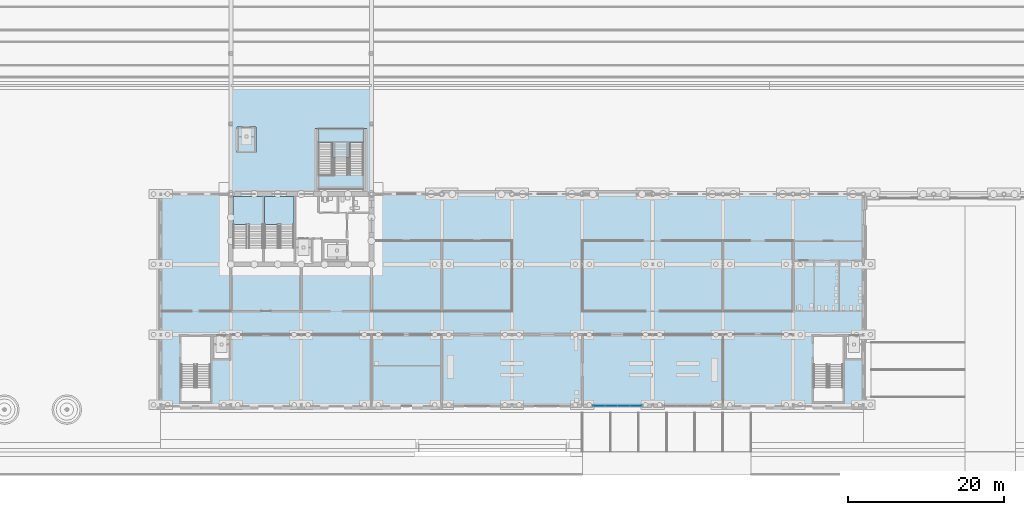
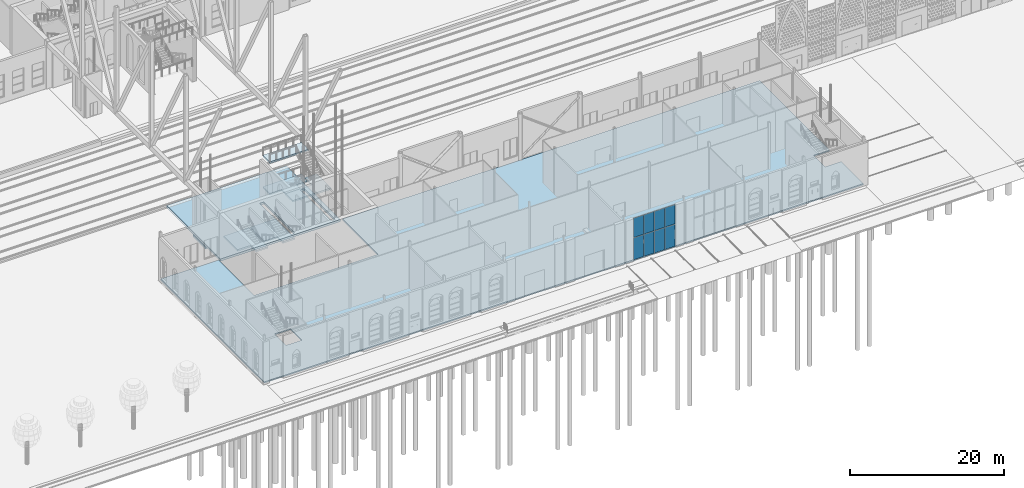
# One storey, part 75 of 250: 8 plates, 8 slabs, 4 elements without a shape of their own.
"""IFC4 building model written with IfcOpenShell, lengths in metres."""

from ifc_helpers import new_model, si_unit, direction, frame, origin, origin_2d, place, context, subcontext, project, spatial, polyline, rectangle, outline, extrude, material, layer, layer_set, type_object, element, aggregate, save


model = new_model("IFC4")

# Units and contexts
model_context = context("Model", 3, precision=1e-05, world=origin(), true_north=direction((0.0, 1.0)))
body_context = subcontext(model_context, "Body", "Model", "MODEL_VIEW")
ifc_project = project(units=[si_unit("LENGTHUNIT", "METRE"), si_unit("AREAUNIT", "SQUARE_METRE"), si_unit("VOLUMEUNIT", "CUBIC_METRE"), si_unit("PLANEANGLEUNIT", "RADIAN"), si_unit("MASSUNIT", "GRAM", prefix="KILO")], contexts=[model_context])

# Site, building, storey
site_placement = place(None, origin())
site = spatial("IfcSite", under=ifc_project, at=site_placement, CompositionType="ELEMENT")
building_placement = place(site_placement, origin())
building = spatial("IfcBuilding", under=site, at=building_placement, Name="Baradari Gate Terminus", CompositionType="ELEMENT")
storey_placement = place(building_placement, origin())
storey = spatial("IfcBuildingStorey", under=building, at=storey_placement, Name="L00", CompositionType="ELEMENT", Elevation=0.0)

# Curtain wall, plates
ifc_material_1 = material(Name="Aluminium 6063-T6", Category="aluminium")
curtain_wall_type = type_object("IfcCurtainWallType", Name="Curtain wall CW-24 lobby and lounge glazing, other height", PredefinedType="NOTDEFINED", material=ifc_material_1)
curtain_wall_placement = place(storey_placement, origin())
curtain_wall = element("IfcCurtainWall", 1, at=curtain_wall_placement, inside=storey, type_object=curtain_wall_type, Name="Glazed curtain wall CW-24 SS bay 14 L00", PredefinedType="NOTDEFINED")
ifc_material_2 = material(Name="Insulating glass unit", Category="glass")
ifc_layer_1 = layer(ifc_material_2, 0.030029296875)
ifc_layer_set_1 = layer_set([ifc_layer_1], Name="Insulating glass unit")
plate_type = type_object("IfcPlateType", Name="Curtain wall glazing unit CP-24 30", PredefinedType="CURTAIN_PANEL", material=ifc_layer_set_1)
plate_1_placement = place(storey_placement, frame((119.140380859375, 8.880126953125, 0.080078125), z_axis=(0.0, 0.0, 1.0), x_axis=(1.0, 0.0, 0.0)))
plate_1 = element("IfcPlate", 2, at=plate_1_placement, type_object=plate_type, Name="CW-24 panel 1.1", PredefinedType="CURTAIN_PANEL", context=body_context, shape_type="SweptSolid", body=[
    extrude(rectangle(XDim=1.46630859375, YDim=0.030029296875, at=origin_2d()), origin(), (0.0, 0.0, 1.0), 3.47998046875),
])
plate_2_placement = place(storey_placement, frame((119.140380859375, 8.880126953125, 3.64013671875), z_axis=(0.0, 0.0, 1.0), x_axis=(1.0, 0.0, 0.0)))
plate_2 = element("IfcPlate", 3, at=plate_2_placement, type_object=plate_type, Name="CW-24 panel 1.2", PredefinedType="CURTAIN_PANEL", context=body_context, shape_type="SweptSolid", body=[
    extrude(rectangle(XDim=1.46630859375, YDim=0.030029296875, at=origin_2d()), origin(), (0.0, 0.0, 1.0), 3.04736328125),
])
plate_3_placement = place(storey_placement, frame((120.706787109375, 8.880126953125, 0.080078125), z_axis=(0.0, 0.0, 1.0), x_axis=(1.0, 0.0, 0.0)))
plate_3 = element("IfcPlate", 4, at=plate_3_placement, type_object=plate_type, Name="CW-24 panel 2.1", PredefinedType="CURTAIN_PANEL", context=body_context, shape_type="SweptSolid", body=[
    extrude(rectangle(XDim=1.50634765625, YDim=0.030029296875, at=origin_2d()), origin(), (0.0, 0.0, 1.0), 3.47998046875),
])
plate_4_placement = place(storey_placement, frame((120.706787109375, 8.880126953125, 3.64013671875), z_axis=(0.0, 0.0, 1.0), x_axis=(1.0, 0.0, 0.0)))
plate_4 = element("IfcPlate", 5, at=plate_4_placement, type_object=plate_type, Name="CW-24 panel 2.2", PredefinedType="CURTAIN_PANEL", context=body_context, shape_type="SweptSolid", body=[
    extrude(rectangle(XDim=1.50634765625, YDim=0.030029296875, at=origin_2d()), origin(), (0.0, 0.0, 1.0), 3.04736328125),
])
plate_5_placement = place(storey_placement, frame((122.293212890625, 8.880126953125, 0.080078125), z_axis=(0.0, 0.0, 1.0), x_axis=(1.0, 0.0, 0.0)))
plate_5 = element("IfcPlate", 6, at=plate_5_placement, type_object=plate_type, Name="CW-24 panel 3.1", PredefinedType="CURTAIN_PANEL", context=body_context, shape_type="SweptSolid", body=[
    extrude(rectangle(XDim=1.50634765625, YDim=0.030029296875, at=origin_2d()), origin(), (0.0, 0.0, 1.0), 3.47998046875),
])
plate_6_placement = place(storey_placement, frame((122.293212890625, 8.880126953125, 3.64013671875), z_axis=(0.0, 0.0, 1.0), x_axis=(1.0, 0.0, 0.0)))
plate_6 = element("IfcPlate", 7, at=plate_6_placement, type_object=plate_type, Name="CW-24 panel 3.2", PredefinedType="CURTAIN_PANEL", context=body_context, shape_type="SweptSolid", body=[
    extrude(rectangle(XDim=1.50634765625, YDim=0.030029296875, at=origin_2d()), origin(), (0.0, 0.0, 1.0), 3.04736328125),
])
plate_7_placement = place(storey_placement, frame((123.859619140625, 8.880126953125, 0.080078125), z_axis=(0.0, 0.0, 1.0), x_axis=(1.0, 0.0, 0.0)))
plate_7 = element("IfcPlate", 8, at=plate_7_placement, type_object=plate_type, Name="CW-24 panel 4.1", PredefinedType="CURTAIN_PANEL", context=body_context, shape_type="SweptSolid", body=[
    extrude(rectangle(XDim=1.46630859375, YDim=0.030029296875, at=origin_2d()), origin(), (0.0, 0.0, 1.0), 3.47998046875),
])
plate_8_placement = place(storey_placement, frame((123.859619140625, 8.880126953125, 3.64013671875), z_axis=(0.0, 0.0, 1.0), x_axis=(1.0, 0.0, 0.0)))
plate_8 = element("IfcPlate", 9, at=plate_8_placement, type_object=plate_type, Name="CW-24 panel 4.2", PredefinedType="CURTAIN_PANEL", context=body_context, shape_type="SweptSolid", body=[
    extrude(rectangle(XDim=1.46630859375, YDim=0.030029296875, at=origin_2d()), origin(), (0.0, 0.0, 1.0), 3.04736328125),
])
aggregate(curtain_wall, [plate_1, plate_2, plate_3, plate_4, plate_5, plate_6, plate_7, plate_8])

# Slabs
ifc_material_3 = material(Name="Concrete C35/45", Category="concrete")
ifc_layer_2 = layer(ifc_material_3, 0.199951171875)
ifc_layer_set_2 = layer_set([ifc_layer_2], Name="Concrete C35/45")
slab_type_1 = type_object("IfcSlabType", Name="Ground slab SL3 200", PredefinedType="BASESLAB", material=ifc_layer_set_2)
slab_1_placement = place(storey_placement, frame((0.0, 0.0, -0.199951171875)))
element("IfcSlab", 10, at=slab_1_placement, inside=storey, type_object=slab_type_1, Name="South wing floor", PredefinedType="BASESLAB", context=body_context, shape_type="SweptSolid", body=[
    extrude(outline(polyline([(71.699951171875, 36.0), (63.0, 36.0), (63.0, 9.0), (153.0, 9.0), (153.0, 14.800048828125), (150.60009765625, 14.800048828125), (150.60009765625, 17.800048828125), (153.0, 17.800048828125), (153.0, 36.0), (90.300048828125, 36.0), (90.300048828125, 35.699951171875), (90.300048828125, 27.300048828125), (90.300048828125, 26.699951171875), (71.699951171875, 26.699951171875), (71.699951171875, 27.300048828125), (71.699951171875, 35.699951171875), (71.699951171875, 36.0)]), holes=[polyline([(72.0, 14.800048828125), (72.0, 17.800048828125), (69.60009765625, 17.800048828125), (69.60009765625, 14.800048828125), (72.0, 14.800048828125)])]), origin(), (0.0, 0.0, 1.0), 0.199951171875),
])
ifc_material_4 = material(Name="Concrete C32/40", Category="concrete")
ifc_layer_3 = layer(ifc_material_4, 0.300048828125)
ifc_layer_set_3 = layer_set([ifc_layer_3], Name="Concrete C32/40")
slab_type_2 = type_object("IfcSlabType", Name="Lift pit slab LP-1 300", PredefinedType="BASESLAB", material=ifc_layer_set_3)
slab_2_placement = place(storey_placement, frame((0.0, 0.0, -1.89990234375)))
element("IfcSlab", 11, at=slab_2_placement, inside=storey, type_object=slab_type_2, Name="Lift pit slab LP-1 LP1", PredefinedType="BASESLAB", context=body_context, shape_type="SweptSolid", body=[
    extrude(outline(polyline([(72.800048828125, 41.300048828125), (72.800048828125, 44.60009765625), (75.199951171875, 44.60009765625), (75.199951171875, 41.300048828125), (72.800048828125, 41.300048828125)])), origin(), (0.0, 0.0, 1.0), 0.2998046875),
])
ifc_material_5 = material(Name="Concrete C35/45", Category="concrete")
ifc_layer_4 = layer(ifc_material_5, 0.35009765625)
ifc_layer_set_4 = layer_set([ifc_layer_4], Name="Concrete C35/45")
slab_type_3 = type_object("IfcSlabType", Name="Platform end slab SL8 350", PredefinedType="FLOOR", material=ifc_layer_set_4)
slab_3_placement = place(storey_placement, frame((0.0, 0.0, -0.35009765625)))
element("IfcSlab", 12, at=slab_3_placement, inside=storey, type_object=slab_type_3, Name="Platform 1 end slab", PredefinedType="FLOOR", context=body_context, shape_type="SweptSolid", body=[
    extrude(outline(polyline([(72.0, 36.0), (90.0, 36.0), (90.0, 50.050048828125), (72.0, 50.050048828125), (72.0, 36.0)]), holes=[polyline([(83.35009765625, 36.300048828125), (83.35009765625, 44.39990234375), (82.75, 44.39990234375), (82.75, 36.300048828125), (83.35009765625, 36.300048828125)]), polyline([(89.449951171875, 36.300048828125), (89.449951171875, 44.39990234375), (88.85009765625, 44.39990234375), (88.85009765625, 36.300048828125), (89.449951171875, 36.300048828125)])]), origin(), (0.0, 0.0, 1.0), 0.35009765625),
])

# Stair, slab
ifc_material_6 = material(Name="Concrete C32/40", Category="concrete")
stair_type_1 = type_object("IfcStairType", Name="Exit stair ST-GS1 riser 170 x 1800", PredefinedType="DOUBLE_RETURN_STAIR", material=ifc_material_6)
stair_1_placement = place(storey_placement, origin())
stair_1 = element("IfcStair", 13, at=stair_1_placement, inside=storey, type_object=stair_type_1, Name="Stair ST-GS1 L00 to L01", PredefinedType="DOUBLE_RETURN_STAIR")
ifc_material_7 = material(Name="Concrete C32/40", Category="concrete")
ifc_layer_5 = layer(ifc_material_7, 0.25)
ifc_layer_set_5 = layer_set([ifc_layer_5], Name="Concrete C32/40")
slab_type_4 = type_object("IfcSlabType", Name="Stair landing LS-5 250", PredefinedType="LANDING", material=ifc_layer_set_5)
slab_4_placement = place(storey_placement, frame((0.0, 0.0, 3.5)))
slab_4 = element("IfcSlab", 14, at=slab_4_placement, type_object=slab_type_4, Name="ST-GS1 landing 2", PredefinedType="LANDING", context=body_context, shape_type="SweptSolid", body=[
    extrude(outline(polyline([(76.10009765625, 35.699951171875), (76.10009765625, 30.699951171875), (74.300048828125, 30.699951171875), (74.300048828125, 32.080078125), (74.10009765625, 32.080078125), (72.300048828125, 32.080078125), (72.300048828125, 35.699951171875), (76.10009765625, 35.699951171875)])), origin(), (0.0, 0.0, 1.0), 0.25),
])
aggregate(stair_1, [slab_4])

ifc_material_8 = material(Name="Concrete C32/40", Category="concrete")
stair_type_2 = type_object("IfcStairType", Name="Exit stair ST-GS2 riser 170 x 1800", PredefinedType="DOUBLE_RETURN_STAIR", material=ifc_material_8)
stair_2_placement = place(storey_placement, origin())
stair_2 = element("IfcStair", 15, at=stair_2_placement, inside=storey, type_object=stair_type_2, Name="Stair ST-GS2 L00 to L01", PredefinedType="DOUBLE_RETURN_STAIR")
slab_5_placement = place(storey_placement, frame((0.0, 0.0, 3.5)))
slab_5 = element("IfcSlab", 16, at=slab_5_placement, type_object=slab_type_4, Name="ST-GS2 landing 2", PredefinedType="LANDING", context=body_context, shape_type="SweptSolid", body=[
    extrude(outline(polyline([(80.10009765625, 35.699951171875), (80.10009765625, 30.699951171875), (78.300048828125, 30.699951171875), (78.300048828125, 32.080078125), (78.10009765625, 32.080078125), (76.300048828125, 32.080078125), (76.300048828125, 35.699951171875), (80.10009765625, 35.699951171875)])), origin(), (0.0, 0.0, 1.0), 0.25),
])
aggregate(stair_2, [slab_5])

# Stair, slabs
ifc_material_9 = material(Name="Concrete C32/40", Category="concrete")
stair_type_3 = type_object("IfcStairType", Name="Platform stair PS-1 riser 167 x 1800", PredefinedType="DOUBLE_RETURN_STAIR", material=ifc_material_9)
stair_3_placement = place(storey_placement, origin())
stair_3 = element("IfcStair", 17, at=stair_3_placement, inside=storey, type_object=stair_type_3, Name="Stair PS-1 L00 to L01", PredefinedType="DOUBLE_RETURN_STAIR")
slab_6_placement = place(storey_placement, frame((0.0, 0.0, 2.25)))
slab_6 = element("IfcSlab", 18, at=slab_6_placement, type_object=slab_type_4, Name="PS-1 landing 1", PredefinedType="LANDING", context=body_context, shape_type="SweptSolid", body=[
    extrude(outline(polyline([(83.199951171875, 44.39990234375), (83.199951171875, 42.580078125), (85.0, 42.580078125), (85.0, 40.659912109375), (85.199951171875, 40.659912109375), (87.0, 40.659912109375), (87.199951171875, 40.659912109375), (87.199951171875, 42.580078125), (89.0, 42.580078125), (89.0, 44.39990234375), (83.199951171875, 44.39990234375)])), origin(), (0.0, 0.0, 1.0), 0.25),
])
slab_7_placement = place(storey_placement, frame((0.0, 0.0, 4.75)))
slab_7 = element("IfcSlab", 19, at=slab_7_placement, type_object=slab_type_4, Name="PS-1 landing 2", PredefinedType="LANDING", context=body_context, shape_type="SweptSolid", body=[
    extrude(outline(polyline([(83.199951171875, 36.60009765625), (83.199951171875, 38.419921875), (85.0, 38.419921875), (85.199951171875, 38.419921875), (87.0, 38.419921875), (87.199951171875, 38.419921875), (87.199951171875, 40.340087890625), (89.0, 40.340087890625), (89.0, 36.60009765625), (83.199951171875, 36.60009765625)])), origin(), (0.0, 0.0, 1.0), 0.25),
])
slab_8_placement = place(storey_placement, frame((0.0, 0.0, 7.25)))
slab_8 = element("IfcSlab", 20, at=slab_8_placement, type_object=slab_type_4, Name="PS-1 landing 3", PredefinedType="LANDING", context=body_context, shape_type="SweptSolid", body=[
    extrude(outline(polyline([(83.199951171875, 42.580078125), (89.0, 42.580078125), (89.0, 44.39990234375), (83.199951171875, 44.39990234375), (83.199951171875, 42.580078125)])), origin(), (0.0, 0.0, 1.0), 0.25),
])
aggregate(stair_3, [slab_6, slab_7, slab_8])

save(model, "model.ifc")
